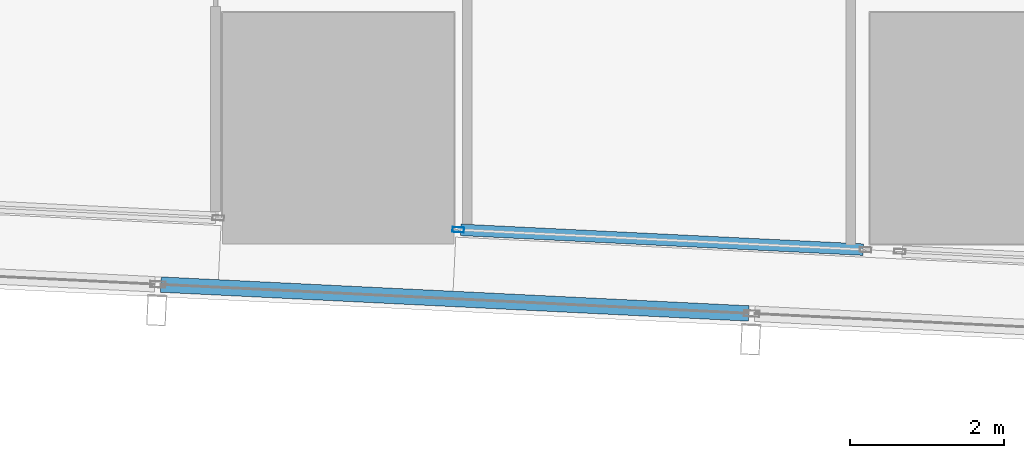
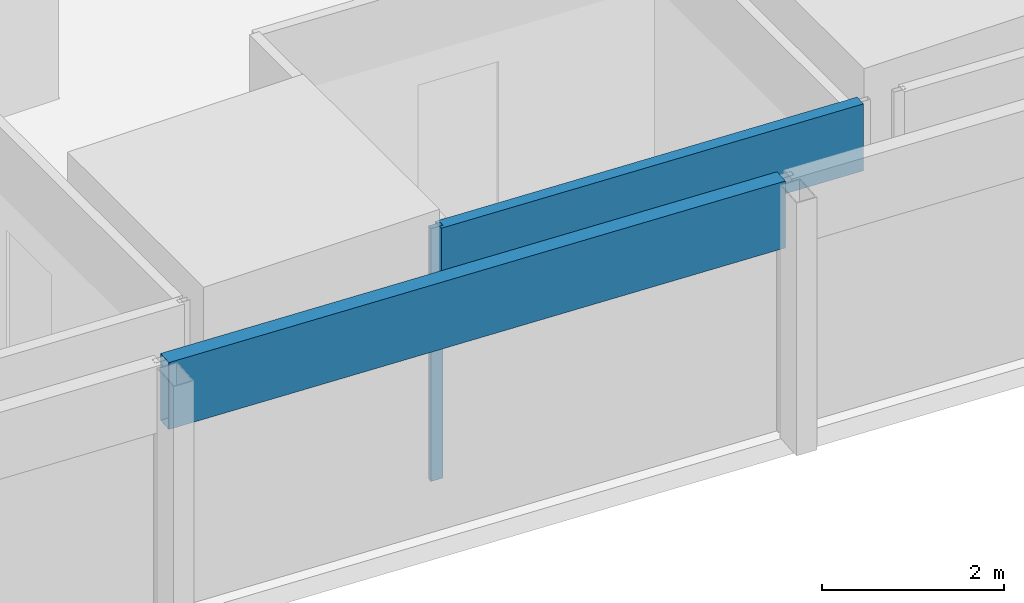
# One storey, part 3 of 44: 3 members, 2 elements without a shape of their own.
"""IFC4 building model written with IfcOpenShell, lengths in metres."""

from ifc_helpers import new_model, si_unit, direction, frame, origin, origin_2d, place, context, subcontext, project, spatial, hollow_rectangle, extrude, material, material_profile, profile_set, type_object, element, aggregate, save


model = new_model("IFC4")

# Units and contexts
model_context = context("Model", 3, precision=1e-05, world=origin(), true_north=direction((0.0, 1.0)))
body_context = subcontext(model_context, "Body", "Model", "MODEL_VIEW")
ifc_project = project(units=[si_unit("LENGTHUNIT", "METRE"), si_unit("AREAUNIT", "SQUARE_METRE"), si_unit("VOLUMEUNIT", "CUBIC_METRE"), si_unit("PLANEANGLEUNIT", "RADIAN"), si_unit("MASSUNIT", "GRAM", prefix="KILO")], contexts=[model_context])

# Site, building, storey
site_placement = place(None, origin())
site = spatial("IfcSite", under=ifc_project, at=site_placement, CompositionType="ELEMENT")
building_placement = place(site_placement, origin())
building = spatial("IfcBuilding", under=site, at=building_placement, Name="Rekha Terrace Tower", CompositionType="ELEMENT")
storey_placement = place(building_placement, frame((0.0, 0.0, 81.64990234375)))
storey = spatial("IfcBuildingStorey", under=building, at=storey_placement, Name="L20", CompositionType="ELEMENT", Elevation=81.64990234375)

# Curtain wall, members
ifc_material_1 = material(Name="Aluminium framing", Category="aluminium")
curtain_wall_type_1 = type_object("IfcCurtainWallType", Name="CW1 double skin inner glazing", PredefinedType="USERDEFINED", material=ifc_material_1)
curtain_wall_1_placement = place(storey_placement, origin())
curtain_wall_1 = element("IfcCurtainWall", 1, at=curtain_wall_1_placement, inside=storey, type_object=curtain_wall_type_1, Name="CW1 double skin inner glazing", ObjectType="DOUBLE SKIN INNER GLAZING", PredefinedType="USERDEFINED")
ifc_material_2 = material(Name="Aluminium mullion section", Category="aluminium")
ifc_material_profile_1 = material_profile(ifc_material_2, hollow_rectangle(XDim=0.06494140625, YDim=0.14990234375, WallThickness=0.00390625, at=origin_2d()), Name="AL RHS 65x150")
ifc_profile_set_1 = profile_set([ifc_material_profile_1], Name="Aluminium mullion section")
member_type_1 = type_object("IfcMemberType", Name="CW1 mullion RHS 65 x 150", PredefinedType="MULLION", material=ifc_profile_set_1)
member_1_placement = place(storey_placement, frame((18.357177734375, 7.083984375, 0.0), z_axis=(0.0, 0.0, 1.0), x_axis=(0.049051717746, 0.998796239974, 0.0)))
member_1 = element("IfcMember", 2, at=member_1_placement, type_object=member_type_1, Name="CW1 mullion 1", PredefinedType="MULLION", context=body_context, shape_type="SweptSolid", body=[
    extrude(hollow_rectangle(XDim=0.06494140625, YDim=0.14990234375, WallThickness=0.00390625, at=origin_2d()), origin(), (0.0, 0.0, 1.0), 3.400146484375),
])
ifc_material_3 = material(Name="Insulated aluminium spandrel box", Category="aluminium")
ifc_material_profile_2 = material_profile(ifc_material_3, hollow_rectangle(XDim=0.14990234375, YDim=0.89990234375, WallThickness=0.0029296875, at=origin_2d()), Name="AL SPANDREL BOX 150x900")
ifc_profile_set_2 = profile_set([ifc_material_profile_2], Name="Insulated aluminium spandrel box")
member_type_2 = type_object("IfcMemberType", Name="CW1 spandrel transom 150 x 900", PredefinedType="USERDEFINED", material=ifc_profile_set_2)
member_2_placement = place(storey_placement, frame((18.3896484375, 7.082275390625, 2.9501953125), z_axis=(0.998796665805, -0.04904304616, 0.0), x_axis=(0.04904304616, 0.998796665805, 0.0)))
member_2 = element("IfcMember", 3, at=member_2_placement, type_object=member_type_2, Name="CW1 spandrel transom 1", ObjectType="TRANSOM", PredefinedType="USERDEFINED", context=body_context, shape_type="SweptSolid", body=[
    extrude(hollow_rectangle(XDim=0.14990234375, YDim=0.89990234375, WallThickness=0.0029296875, at=origin_2d()), origin(), (0.0, 0.0, 1.0), 5.22705078125),
])
aggregate(curtain_wall_1, [member_1, member_2])

# Curtain wall, member
curtain_wall_type_2 = type_object("IfcCurtainWallType", Name="CW2 double skin outer glazing", PredefinedType="USERDEFINED", material=ifc_material_1)
curtain_wall_2_placement = place(storey_placement, origin())
curtain_wall_2 = element("IfcCurtainWall", 4, at=curtain_wall_2_placement, inside=storey, type_object=curtain_wall_type_2, Name="CW2 double skin outer glazing", ObjectType="DOUBLE SKIN OUTER GLAZING", PredefinedType="USERDEFINED")
ifc_material_profile_3 = material_profile(ifc_material_3, hollow_rectangle(XDim=0.199951171875, YDim=0.89990234375, WallThickness=0.0029296875, at=origin_2d()), Name="AL SPANDREL BOX 200x900")
ifc_profile_set_3 = profile_set([ifc_material_profile_3], Name="Insulated aluminium spandrel box")
member_type_3 = type_object("IfcMemberType", Name="CW2 spandrel transom 200 x 900", PredefinedType="USERDEFINED", material=ifc_profile_set_3)
member_3_placement = place(storey_placement, frame((14.499755859375, 6.372314453125, 2.9501953125), z_axis=(0.998796511558, -0.049046187417, 0.0), x_axis=(0.049046187417, 0.998796511558, 0.0)))
member_3 = element("IfcMember", 5, at=member_3_placement, type_object=member_type_3, Name="CW2 spandrel transom 2", ObjectType="TRANSOM", PredefinedType="USERDEFINED", context=body_context, shape_type="SweptSolid", body=[
    extrude(hollow_rectangle(XDim=0.199951171875, YDim=0.89990234375, WallThickness=0.0029296875, at=origin_2d()), origin(), (0.0, 0.0, 1.0), 7.635986328125),
])
aggregate(curtain_wall_2, [member_3])

save(model, "model.ifc")
